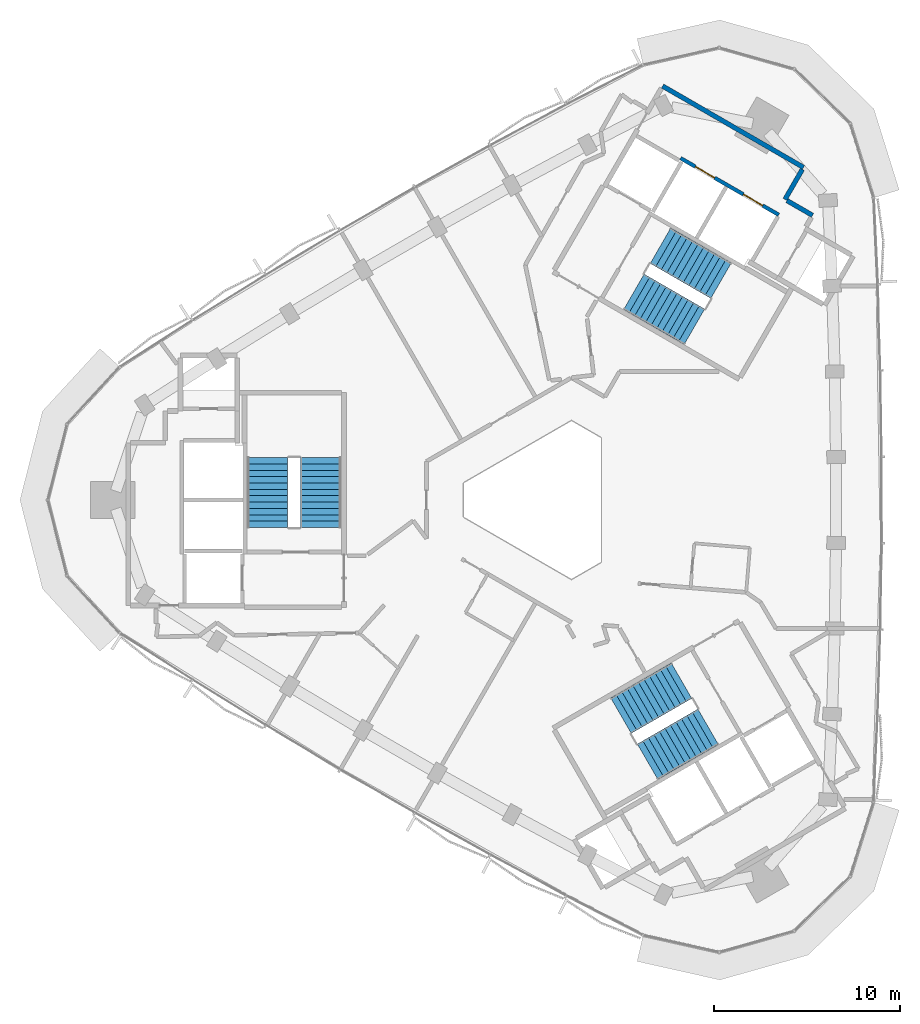
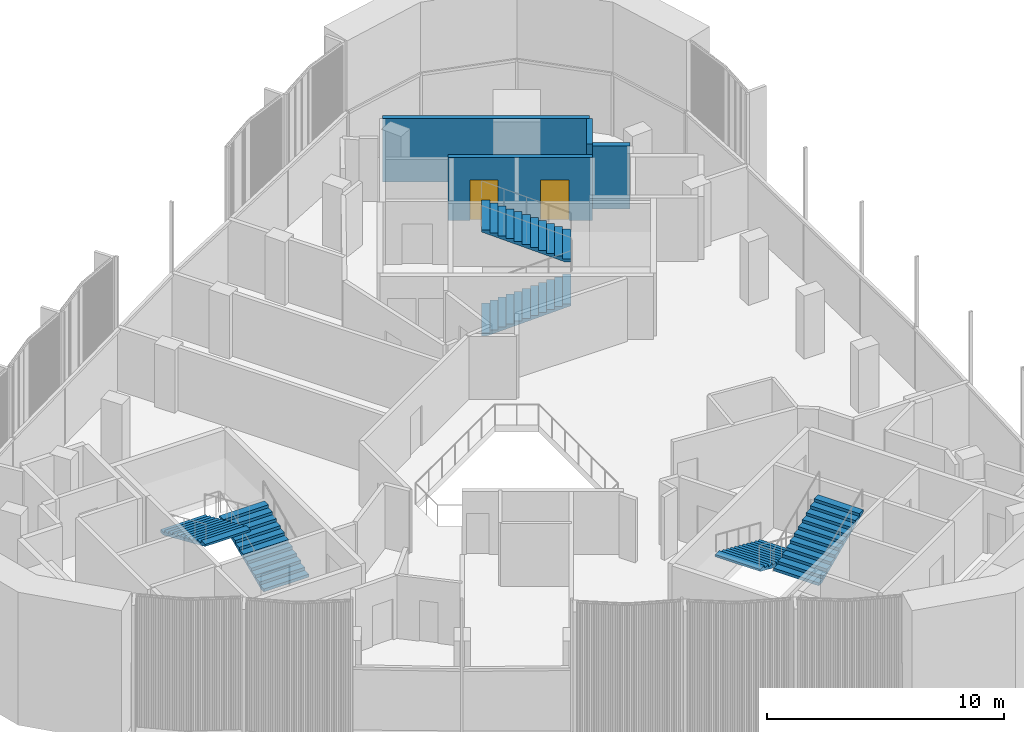
# One storey, part 9 of 12: 6 stair flights, 4 walls, 2 doors, 2 openings, 3 elements without a shape of their own.
"""IFC4 building model written with IfcOpenShell, lengths in metres."""

import ifcopenshell
import ifcopenshell.guid

model = None  # the IFC model being written
_history = None  # IfcOwnerHistory: only IFC2X3 demands one
_inside = {}  # id of a spatial element -> (the spatial element, [elements in it])
_under = {}  # id of a project, library or spatial element -> (it, [spatial elements below it])
_declared = {}  # id of a project -> (the project, [libraries it declares])
_typed = {}  # id of a type object -> (the type object, [elements of that type])
_made_of = {}  # id of a material, layer set ... -> (it, [elements and type objects made of it])


def new_model(schema):
    """Start an empty IFC model of exactly this schema.

    Asked for "IFC4X3", IfcOpenShell would pick the latest addendum, in which some entities
    have other attributes; the version numbers below select the first issue.
    IFC2X3 requires an IfcOwnerHistory on every rooted entity: one is made here for all.
    """
    global model, _history
    if schema == "IFC4X3":
        model = ifcopenshell.file(schema_version=(4, 3, 0, 0))
    else:
        model = ifcopenshell.file(schema=schema)
    _inside.clear()
    _under.clear()
    _declared.clear()
    _typed.clear()
    _made_of.clear()
    _history = None
    if model.schema == "IFC2X3":
        org = make("IfcOrganization", Name="unknown")
        user = make(
            "IfcPersonAndOrganization",
            ThePerson=make("IfcPerson", FamilyName="unknown"),
            TheOrganization=org,
        )
        app = make(
            "IfcApplication",
            ApplicationDeveloper=org,
            Version="unknown",
            ApplicationFullName="unknown",
            ApplicationIdentifier="unknown",
        )
        _history = make(
            "IfcOwnerHistory",
            OwningUser=user,
            OwningApplication=app,
            ChangeAction="ADDED",
            CreationDate=0,
        )
    return model


def make(cls, **values):
    """One entity of the class cls with the attributes given. An attribute that is None is left unset."""
    return model.create_entity(
        cls, **{name: value for name, value in values.items() if value is not None}
    )


def rooted(cls, **values):
    """An entity with a GlobalId (a new one), such as an element, a storey or a relation."""
    return make(cls, GlobalId=ifcopenshell.guid.new(), OwnerHistory=_history, **values)


def si_unit(unit_type, name, prefix=None):
    """IfcSIUnit, for example si_unit("LENGTHUNIT", "METRE", prefix="MILLI")."""
    return make("IfcSIUnit", UnitType=unit_type, Prefix=prefix, Name=name)


def assignment(units):
    """IfcUnitAssignment: the units of a project."""
    return None if units is None else make("IfcUnitAssignment", Units=units)


def point(xyz):
    """IfcCartesianPoint."""
    return None if xyz is None else make("IfcCartesianPoint", Coordinates=xyz)


def direction(xyz):
    """IfcDirection."""
    return None if xyz is None else make("IfcDirection", DirectionRatios=xyz)


def frame(location, z_axis=None, x_axis=None):
    """IfcAxis2Placement3D, a coordinate frame: its origin and axes. An axis left out is left unset."""
    return make(
        "IfcAxis2Placement3D",
        Location=point(location),
        Axis=direction(z_axis),
        RefDirection=direction(x_axis),
    )


def frame_2d(location, x_axis=None):
    """IfcAxis2Placement2D, a coordinate frame in the plane: its origin and x axis."""
    return make(
        "IfcAxis2Placement2D", Location=point(location), RefDirection=direction(x_axis)
    )


def origin():
    """The frame at (0, 0, 0) with its axes left unset."""
    return frame((0.0, 0.0, 0.0))


def place(relative_to, where):
    """IfcLocalPlacement: puts the frame where relative to a parent placement (None: the world)."""
    return make(
        "IfcLocalPlacement", PlacementRelTo=relative_to, RelativePlacement=where
    )


def context(
    kind, dimensions, precision=None, world=None, true_north=None, identifier=None
):
    """IfcGeometricRepresentationContext, for example the 3D "Model" context."""
    return make(
        "IfcGeometricRepresentationContext",
        ContextIdentifier=identifier,
        ContextType=kind,
        CoordinateSpaceDimension=dimensions,
        Precision=precision,
        WorldCoordinateSystem=world,
        TrueNorth=true_north,
    )


def subcontext(parent, identifier, kind, view, scale=None):
    """IfcGeometricRepresentationSubContext, for example "Body" below "Model"."""
    return make(
        "IfcGeometricRepresentationSubContext",
        ContextIdentifier=identifier,
        ContextType=kind,
        ParentContext=parent,
        TargetScale=scale,
        TargetView=view,
    )


def project(units=None, contexts=None):
    """IfcProject with its units and contexts."""
    return rooted(
        "IfcProject",
        Name="project",
        RepresentationContexts=contexts,
        UnitsInContext=assignment(units),
    )


def spatial(cls, under=None, at=None, **own):
    """A site, building, storey or space (cls), placed at a placement, below another one or the project."""
    s = rooted(cls, ObjectPlacement=at, **own)
    if under is not None:
        _under.setdefault(under.id(), (under, []))[1].append(s)
    return s


def polyline(points):
    """IfcPolyline through the points."""
    return make("IfcPolyline", Points=[point(p) for p in points])


def profile(cls, at=None, kind="AREA", **sizes):
    """A parametric profile (cls). Its sizes go by their IFC names, for example OverallWidth=200.0."""
    return make(cls, ProfileType=kind, Position=at, **sizes)


def rectangle(**sizes):
    """IfcRectangleProfileDef."""
    return profile("IfcRectangleProfileDef", **sizes)


def outline(outer, holes=None, kind="AREA"):
    """IfcArbitraryClosedProfileDef: a profile drawn as a closed curve; with holes, ...WithVoids."""
    if holes is None:
        return make("IfcArbitraryClosedProfileDef", ProfileType=kind, OuterCurve=outer)
    return make(
        "IfcArbitraryProfileDefWithVoids",
        ProfileType=kind,
        OuterCurve=outer,
        InnerCurves=holes,
    )


def extrude(swept, where, along, depth):
    """IfcExtrudedAreaSolid: the profile swept, set in the frame where, extruded along a direction by depth."""
    return make(
        "IfcExtrudedAreaSolid",
        SweptArea=swept,
        Position=where,
        ExtrudedDirection=direction(along),
        Depth=depth,
    )


def shape(context_of_items, identifier, shape_type, items):
    """IfcShapeRepresentation: the items that make up one representation, for example the "Body"."""
    return make(
        "IfcShapeRepresentation",
        ContextOfItems=context_of_items,
        RepresentationIdentifier=identifier,
        RepresentationType=shape_type,
        Items=items,
    )


def material(Name=None, Category=None):
    """IfcMaterial."""
    return make("IfcMaterial", Name=Name, Category=Category)


def layer(
    of_material, thickness, ventilated=None, Name=None, Category=None, Priority=None
):
    """IfcMaterialLayer: one layer of a wall or slab, of a material (None: an air gap)."""
    return make(
        "IfcMaterialLayer",
        Material=of_material,
        LayerThickness=thickness,
        IsVentilated=ventilated,
        Name=Name,
        Category=Category,
        Priority=Priority,
    )


def layer_set(layers, Name=None):
    """IfcMaterialLayerSet."""
    return make("IfcMaterialLayerSet", MaterialLayers=layers, LayerSetName=Name)


def made_of(thing, what):
    """Note that an element or type object is made of a material, layer set ...; save() writes the relation."""
    if what is not None:
        _made_of.setdefault(what.id(), (what, []))[1].append(thing)
    return thing


def type_object(cls, material=None, **own):
    """A type object (cls), such as IfcWallType, which elements share."""
    return made_of(rooted(cls, **own), material)


def element(
    cls,
    number,
    at=None,
    inside=None,
    cuts=None,
    type_object=None,
    material=None,
    context=None,
    identifier="Body",
    shape_type=None,
    held_by="IfcProductDefinitionShape",
    body=None,
    shapes=None,
    **own,
):
    """One element of the class cls, such as IfcWall. Its Tag is "e" and its number.

    at: its placement. inside: the storey or other place that contains it. cuts: it is an
    opening in that element (IfcRelVoidsElement). A single representation is given by context,
    identifier, shape_type and body (its items); several are given by shapes. held_by: the class
    of the entity that holds the representations. save() writes the other relations.
    """
    e = rooted(cls, Tag="e%d" % number, ObjectPlacement=at, **own)
    if body is not None:
        shapes = [shape(context, identifier, shape_type, body)]
    if shapes is not None:
        e.Representation = make(held_by, Representations=shapes)
    if inside is not None:
        _inside.setdefault(inside.id(), (inside, []))[1].append(e)
    if cuts is not None:
        rooted(
            "IfcRelVoidsElement", RelatingBuildingElement=cuts, RelatedOpeningElement=e
        )
    if type_object is not None:
        _typed.setdefault(type_object.id(), (type_object, []))[1].append(e)
    return made_of(e, material)


def fill(opening, filler):
    """IfcRelFillsElement: the door or window that sits in an opening."""
    return rooted(
        "IfcRelFillsElement",
        RelatingOpeningElement=opening,
        RelatedBuildingElement=filler,
    )


def aggregate(whole, parts):
    """IfcRelAggregates: a whole, such as a stair, and the parts it consists of."""
    return rooted("IfcRelAggregates", RelatingObject=whole, RelatedObjects=parts)


def save(model, path):
    """Write the relations noted so far, then the file.

    IfcRelAggregates (storeys below a building ...), IfcRelContainedInSpatialStructure (elements
    in a storey), IfcRelDefinesByType, IfcRelAssociatesMaterial and IfcRelDeclares: one each for
    every whole, place, type object, material and project.
    """
    for whole, parts in _under.values():
        aggregate(whole, parts)
    for where, things in _inside.values():
        rooted(
            "IfcRelContainedInSpatialStructure",
            RelatedElements=things,
            RelatingStructure=where,
        )
    for kind, things in _typed.values():
        rooted("IfcRelDefinesByType", RelatedObjects=things, RelatingType=kind)
    for what, things in _made_of.values():
        rooted("IfcRelAssociatesMaterial", RelatedObjects=things, RelatingMaterial=what)
    for by, libraries in _declared.values():
        rooted("IfcRelDeclares", RelatingContext=by, RelatedDefinitions=libraries)
    model.write(path)


model = new_model("IFC4")

# Units and contexts
model_context = context("Model", 3, precision=1e-05, world=origin(), true_north=direction((0.0, 1.0)))
body_context = subcontext(model_context, "Body", "Model", "MODEL_VIEW")
ifc_project = project(units=[si_unit("LENGTHUNIT", "METRE"), si_unit("AREAUNIT", "SQUARE_METRE"), si_unit("VOLUMEUNIT", "CUBIC_METRE"), si_unit("PLANEANGLEUNIT", "RADIAN"), si_unit("MASSUNIT", "GRAM", prefix="KILO")], contexts=[model_context])

# Site, building, storey
site_placement = place(None, origin())
site = spatial("IfcSite", under=ifc_project, at=site_placement, CompositionType="ELEMENT")
building_placement = place(site_placement, origin())
building = spatial("IfcBuilding", under=site, at=building_placement, Name="Tamra Quay Hotel Tower", CompositionType="ELEMENT")
storey_placement = place(building_placement, frame((0.0, 0.0, 273.0)))
storey = spatial("IfcBuildingStorey", under=building, at=storey_placement, Name="L69", CompositionType="ELEMENT", Elevation=273.0)

# Wall, openings, doors
ifc_material_1 = material(Name="Concrete M70", Category="concrete")
ifc_layer_1 = layer(ifc_material_1, 0.199951171875)
ifc_layer_set_1 = layer_set([ifc_layer_1], Name="Concrete M70 core wall 200")
wall_type_1 = type_object("IfcWallType", Name="Concrete M70 core wall 200", PredefinedType="SHEAR", material=ifc_layer_set_1)
wall_1_placement = place(storey_placement, frame((12.552490234375, 15.341552734375, 0.0), z_axis=(0.0, 0.0, 1.0), x_axis=(-0.866030299012, 0.499991521122, 0.0)))
wall_1 = element("IfcWall", 1, at=wall_1_placement, inside=storey, type_object=wall_type_1, Name="CW2", PredefinedType="SHEAR", context=body_context, shape_type="SweptSolid", body=[
    extrude(rectangle(XDim=6.10009765625, YDim=0.199951171875, at=frame_2d((3.050048828125, 0.0))), origin(), (0.0, 0.0, 1.0), 3.25),
])
opening_1_placement = place(wall_1_placement, frame((1.0, 0.0, 0.0)))
opening_1 = element("IfcOpeningElement", 2, at=opening_1_placement, cuts=wall_1, Name="Opening LD", PredefinedType="OPENING", context=body_context, shape_type="SweptSolid", body=[
    extrude(rectangle(XDim=1.199951171875, YDim=2.10009765625, at=frame_2d((0.60009765625, 1.050048828125))), frame((0.0, 0.10986328125, 0.0), z_axis=(0.0, -1.0, 0.0), x_axis=(1.0, 0.0, 0.0)), (0.0, 0.0, 1.0), 0.219970703125),
])
opening_2_placement = place(wall_1_placement, frame((3.982177734375, 0.0, 0.0)))
opening_2 = element("IfcOpeningElement", 3, at=opening_2_placement, cuts=wall_1, Name="Opening LD", PredefinedType="OPENING", context=body_context, shape_type="SweptSolid", body=[
    extrude(rectangle(XDim=1.199951171875, YDim=2.10009765625, at=frame_2d((0.60009765625, 1.050048828125))), frame((0.0, 0.10986328125, 0.0), z_axis=(0.0, -1.0, 0.0), x_axis=(1.0, 0.0, 0.0)), (0.0, 0.0, 1.0), 0.219970703125),
])
ifc_material_2 = material(Name="Landing door LD 1200 double door sliding")
door_type = type_object("IfcDoorType", Name="Landing door LD 1200 double door sliding", OperationType="DOUBLE_DOOR_SLIDING", PredefinedType="DOOR", material=ifc_material_2)
door_1_placement = place(opening_1_placement, origin())
door_1 = element("IfcDoor", 4, at=door_1_placement, inside=storey, type_object=door_type, Name="LD", OperationType="DOUBLE_DOOR_SLIDING", OverallHeight=2.10009765625, OverallWidth=1.199951171875, PredefinedType="DOOR", context=body_context, shape_type="SweptSolid", body=[
    extrude(rectangle(XDim=1.199951171875, YDim=2.10009765625, at=frame_2d((0.60009765625, 1.050048828125))), frame((0.0, 0.02490234375, 0.0), z_axis=(0.0, -1.0, 0.0), x_axis=(1.0, 0.0, 0.0)), (0.0, 0.0, 1.0), 0.050048828125),
])
fill(opening_1, door_1)
door_2_placement = place(opening_2_placement, origin())
door_2 = element("IfcDoor", 5, at=door_2_placement, inside=storey, type_object=door_type, Name="LD", OperationType="DOUBLE_DOOR_SLIDING", OverallHeight=2.10009765625, OverallWidth=1.199951171875, PredefinedType="DOOR", context=body_context, shape_type="SweptSolid", body=[
    extrude(rectangle(XDim=1.199951171875, YDim=2.10009765625, at=frame_2d((0.60009765625, 1.050048828125))), frame((0.0, 0.02490234375, 0.0), z_axis=(0.0, -1.0, 0.0), x_axis=(1.0, 0.0, 0.0)), (0.0, 0.0, 1.0), 0.050048828125),
])
fill(opening_2, door_2)

# Walls
ifc_layer_2 = layer(ifc_material_1, 0.25)
ifc_layer_set_2 = layer_set([ifc_layer_2], Name="Concrete M70 core wall 250")
wall_type_2 = type_object("IfcWallType", Name="Concrete M70 core wall 250", PredefinedType="SHEAR", material=ifc_layer_set_2)
wall_2_placement = place(storey_placement, frame((6.303955078125, 22.268798828125, 0.0), z_axis=(0.0, 0.0, 1.0), x_axis=(0.866022959057, -0.500004234368, 0.0)))
element("IfcWall", 6, at=wall_2_placement, inside=storey, type_object=wall_type_2, Name="CW1", PredefinedType="SHEAR", context=body_context, shape_type="SweptSolid", body=[
    extrude(rectangle(XDim=8.75, YDim=0.25, at=frame_2d((4.375, 0.0))), origin(), (0.0, 0.0, 1.0), 3.25),
])
wall_3_placement = place(storey_placement, frame((13.819091796875, 17.78515625, 0.0), z_axis=(0.0, 0.0, 1.0), x_axis=(-0.500039802285, -0.866002422705, 0.0)))
element("IfcWall", 7, at=wall_3_placement, inside=storey, type_object=wall_type_2, Name="CW1", PredefinedType="SHEAR", context=body_context, shape_type="SweptSolid", body=[
    extrude(rectangle(XDim=1.864501953125, YDim=0.25, at=frame_2d((0.93212890625, 0.0))), origin(), (0.0, 0.0, 1.0), 3.25),
])
wall_4_placement = place(storey_placement, frame((12.995361328125, 16.107666015625, 0.0), z_axis=(0.0, 0.0, 1.0), x_axis=(0.866044474677, -0.49996696679, 0.0)))
element("IfcWall", 8, at=wall_4_placement, inside=storey, type_object=wall_type_2, Name="CW1", PredefinedType="SHEAR", context=body_context, shape_type="SweptSolid", body=[
    extrude(rectangle(XDim=1.58447265625, YDim=0.25, at=frame_2d((0.792236328125, 0.0))), origin(), (0.0, 0.0, 1.0), 3.25),
])

# Stair, stair flights
ifc_material_3 = material(Name="Exit stair 2200 24 risers 150.0 going 342")
stair_type = type_object("IfcStairType", Name="Exit stair 2200 24 risers 150.0 going 342", PredefinedType="HALF_TURN_STAIR", material=ifc_material_3)
stair_1_placement = place(storey_placement, origin())
stair_1 = element("IfcStair", 9, at=stair_1_placement, inside=storey, type_object=stair_type, Name="L69 Exit stair ST3", PredefinedType="HALF_TURN_STAIR")
ifc_material_4 = material(Name="Exit stair flight 2200 12 risers 150.0")
stair_flight_type = type_object("IfcStairFlightType", Name="Exit stair flight 2200 12 risers 150.0", PredefinedType="STRAIGHT", material=ifc_material_4)
stair_flight_1_placement = place(storey_placement, frame((-12.082275390625, -1.47998046875, 0.0), z_axis=(0.0, 0.0, 1.0), x_axis=(0.0, 1.0, 0.0)))
stair_flight_1 = element("IfcStairFlight", 10, at=stair_flight_1_placement, type_object=stair_flight_type, Name="ST3 flight 1", NumberOfRisers=12, NumberOfTreads=11, PredefinedType="STRAIGHT", RiserHeight=0.15, TreadLength=0.342, context=body_context, shape_type="SweptSolid", body=[
    extrude(outline(polyline([(0.0, 0.0), (0.0, 0.14990234375), (0.342041015625, 0.14990234375), (0.342041015625, 0.300048828125), (0.68408203125, 0.300048828125), (0.68408203125, 0.449951171875), (1.02587890625, 0.449951171875), (1.02587890625, 0.60009765625), (1.367919921875, 0.60009765625), (1.367919921875, 0.75), (1.7099609375, 0.75), (1.7099609375, 0.89990234375), (2.052001953125, 0.89990234375), (2.052001953125, 1.050048828125), (2.39404296875, 1.050048828125), (2.39404296875, 1.199951171875), (2.736083984375, 1.199951171875), (2.736083984375, 1.35009765625), (3.077880859375, 1.35009765625), (3.077880859375, 1.5), (3.419921875, 1.5), (3.419921875, 1.64990234375), (3.761962890625, 1.64990234375), (3.761962890625, 1.800048828125), (3.761962890625, 1.540771484375), (0.249267578125, 0.0), (0.0, 0.0)])), frame((0.0, 1.10009765625, 0.0), z_axis=(0.0, -1.0, 0.0), x_axis=(1.0, 0.0, 0.0)), (0.0, 0.0, 1.0), 2.199951171875),
])
stair_flight_2_placement = place(storey_placement, frame((-14.94140625, 2.281982421875, 1.800048828125), z_axis=(0.0, 0.0, 1.0), x_axis=(0.0, -1.0, 0.0)))
stair_flight_2 = element("IfcStairFlight", 11, at=stair_flight_2_placement, type_object=stair_flight_type, Name="ST3 flight 2", NumberOfRisers=12, NumberOfTreads=11, PredefinedType="STRAIGHT", RiserHeight=0.15, TreadLength=0.342, context=body_context, shape_type="SweptSolid", body=[
    extrude(outline(polyline([(0.0, 0.0), (0.0, 0.14990234375), (0.342041015625, 0.14990234375), (0.342041015625, 0.300048828125), (0.68408203125, 0.300048828125), (0.68408203125, 0.449951171875), (1.02587890625, 0.449951171875), (1.02587890625, 0.60009765625), (1.367919921875, 0.60009765625), (1.367919921875, 0.75), (1.7099609375, 0.75), (1.7099609375, 0.89990234375), (2.052001953125, 0.89990234375), (2.052001953125, 1.050048828125), (2.39404296875, 1.050048828125), (2.39404296875, 1.199951171875), (2.736083984375, 1.199951171875), (2.736083984375, 1.35009765625), (3.077880859375, 1.35009765625), (3.077880859375, 1.5), (3.419921875, 1.5), (3.419921875, 1.64990234375), (3.761962890625, 1.64990234375), (3.761962890625, 1.800048828125), (3.761962890625, 1.540771484375), (0.249267578125, 0.0), (0.0, 0.0)])), frame((0.0, 1.10009765625, 0.0), z_axis=(0.0, -1.0, 0.0), x_axis=(1.0, 0.0, 0.0)), (0.0, 0.0, 1.0), 2.199951171875),
])
aggregate(stair_1, [stair_flight_1, stair_flight_2])

stair_2_placement = place(storey_placement, origin())
stair_2 = element("IfcStair", 12, at=stair_2_placement, inside=storey, type_object=stair_type, Name="L69 Exit stair ST1", PredefinedType="HALF_TURN_STAIR")
stair_flight_3_placement = place(storey_placement, frame((4.75927734375, 11.20361328125, 0.0), z_axis=(0.0, 0.0, 1.0), x_axis=(0.866025403784, -0.5, 0.0)))
stair_flight_3 = element("IfcStairFlight", 13, at=stair_flight_3_placement, type_object=stair_flight_type, Name="ST1 flight 1", NumberOfRisers=12, NumberOfTreads=11, PredefinedType="STRAIGHT", RiserHeight=0.15, TreadLength=0.342, context=body_context, shape_type="SweptSolid", body=[
    extrude(outline(polyline([(0.0, 0.0), (0.0, 0.14990234375), (0.342041015625, 0.14990234375), (0.342041015625, 0.300048828125), (0.68408203125, 0.300048828125), (0.68408203125, 0.449951171875), (1.02587890625, 0.449951171875), (1.02587890625, 0.60009765625), (1.367919921875, 0.60009765625), (1.367919921875, 0.75), (1.7099609375, 0.75), (1.7099609375, 0.89990234375), (2.052001953125, 0.89990234375), (2.052001953125, 1.050048828125), (2.39404296875, 1.050048828125), (2.39404296875, 1.199951171875), (2.736083984375, 1.199951171875), (2.736083984375, 1.35009765625), (3.077880859375, 1.35009765625), (3.077880859375, 1.5), (3.419921875, 1.5), (3.419921875, 1.64990234375), (3.761962890625, 1.64990234375), (3.761962890625, 1.800048828125), (3.761962890625, 1.540771484375), (0.249267578125, 0.0), (0.0, 0.0)])), frame((0.0, 1.10009765625, 0.0), z_axis=(0.0, -1.0, 0.0), x_axis=(1.0, 0.0, 0.0)), (0.0, 0.0, 1.0), 2.199951171875),
])
stair_flight_4_placement = place(storey_placement, frame((9.44677734375, 11.798583984375, 1.800048828125), z_axis=(0.0, 0.0, 1.0), x_axis=(-0.866025403784, 0.5, 0.0)))
stair_flight_4 = element("IfcStairFlight", 14, at=stair_flight_4_placement, type_object=stair_flight_type, Name="ST1 flight 2", NumberOfRisers=12, NumberOfTreads=11, PredefinedType="STRAIGHT", RiserHeight=0.15, TreadLength=0.342, context=body_context, shape_type="SweptSolid", body=[
    extrude(outline(polyline([(0.0, 0.0), (0.0, 0.14990234375), (0.342041015625, 0.14990234375), (0.342041015625, 0.300048828125), (0.68408203125, 0.300048828125), (0.68408203125, 0.449951171875), (1.02587890625, 0.449951171875), (1.02587890625, 0.60009765625), (1.367919921875, 0.60009765625), (1.367919921875, 0.75), (1.7099609375, 0.75), (1.7099609375, 0.89990234375), (2.052001953125, 0.89990234375), (2.052001953125, 1.050048828125), (2.39404296875, 1.050048828125), (2.39404296875, 1.199951171875), (2.736083984375, 1.199951171875), (2.736083984375, 1.35009765625), (3.077880859375, 1.35009765625), (3.077880859375, 1.5), (3.419921875, 1.5), (3.419921875, 1.64990234375), (3.761962890625, 1.64990234375), (3.761962890625, 1.800048828125), (3.761962890625, 1.540771484375), (0.249267578125, 0.0), (0.0, 0.0)])), frame((0.0, 1.10009765625, 0.0), z_axis=(0.0, -1.0, 0.0), x_axis=(1.0, 0.0, 0.0)), (0.0, 0.0, 1.0), 2.199951171875),
])
aggregate(stair_2, [stair_flight_3, stair_flight_4])

stair_3_placement = place(storey_placement, origin())
stair_3 = element("IfcStair", 15, at=stair_3_placement, inside=storey, type_object=stair_type, Name="L69 Exit stair ST2", PredefinedType="HALF_TURN_STAIR")
stair_flight_5_placement = place(storey_placement, frame((7.322998046875, -9.7236328125, 0.0), z_axis=(0.0, 0.0, 1.0), x_axis=(-0.866025403784, -0.5, 0.0)))
stair_flight_5 = element("IfcStairFlight", 16, at=stair_flight_5_placement, type_object=stair_flight_type, Name="ST2 flight 1", NumberOfRisers=12, NumberOfTreads=11, PredefinedType="STRAIGHT", RiserHeight=0.15, TreadLength=0.342, context=body_context, shape_type="SweptSolid", body=[
    extrude(outline(polyline([(0.0, 0.0), (0.0, 0.14990234375), (0.342041015625, 0.14990234375), (0.342041015625, 0.300048828125), (0.68408203125, 0.300048828125), (0.68408203125, 0.449951171875), (1.02587890625, 0.449951171875), (1.02587890625, 0.60009765625), (1.367919921875, 0.60009765625), (1.367919921875, 0.75), (1.7099609375, 0.75), (1.7099609375, 0.89990234375), (2.052001953125, 0.89990234375), (2.052001953125, 1.050048828125), (2.39404296875, 1.050048828125), (2.39404296875, 1.199951171875), (2.736083984375, 1.199951171875), (2.736083984375, 1.35009765625), (3.077880859375, 1.35009765625), (3.077880859375, 1.5), (3.419921875, 1.5), (3.419921875, 1.64990234375), (3.761962890625, 1.64990234375), (3.761962890625, 1.800048828125), (3.761962890625, 1.540771484375), (0.249267578125, 0.0), (0.0, 0.0)])), frame((0.0, 1.10009765625, 0.0), z_axis=(0.0, -1.0, 0.0), x_axis=(1.0, 0.0, 0.0)), (0.0, 0.0, 1.0), 2.199951171875),
])
stair_flight_6_placement = place(storey_placement, frame((5.494384765625, -14.08056640625, 1.800048828125), z_axis=(0.0, 0.0, 1.0), x_axis=(0.866025403784, 0.5, 0.0)))
stair_flight_6 = element("IfcStairFlight", 17, at=stair_flight_6_placement, type_object=stair_flight_type, Name="ST2 flight 2", NumberOfRisers=12, NumberOfTreads=11, PredefinedType="STRAIGHT", RiserHeight=0.15, TreadLength=0.342, context=body_context, shape_type="SweptSolid", body=[
    extrude(outline(polyline([(0.0, 0.0), (0.0, 0.14990234375), (0.342041015625, 0.14990234375), (0.342041015625, 0.300048828125), (0.68408203125, 0.300048828125), (0.68408203125, 0.449951171875), (1.02587890625, 0.449951171875), (1.02587890625, 0.60009765625), (1.367919921875, 0.60009765625), (1.367919921875, 0.75), (1.7099609375, 0.75), (1.7099609375, 0.89990234375), (2.052001953125, 0.89990234375), (2.052001953125, 1.050048828125), (2.39404296875, 1.050048828125), (2.39404296875, 1.199951171875), (2.736083984375, 1.199951171875), (2.736083984375, 1.35009765625), (3.077880859375, 1.35009765625), (3.077880859375, 1.5), (3.419921875, 1.5), (3.419921875, 1.64990234375), (3.761962890625, 1.64990234375), (3.761962890625, 1.800048828125), (3.761962890625, 1.540771484375), (0.249267578125, 0.0), (0.0, 0.0)])), frame((0.0, 1.10009765625, 0.0), z_axis=(0.0, -1.0, 0.0), x_axis=(1.0, 0.0, 0.0)), (0.0, 0.0, 1.0), 2.199951171875),
])
aggregate(stair_3, [stair_flight_5, stair_flight_6])

save(model, "model.ifc")
